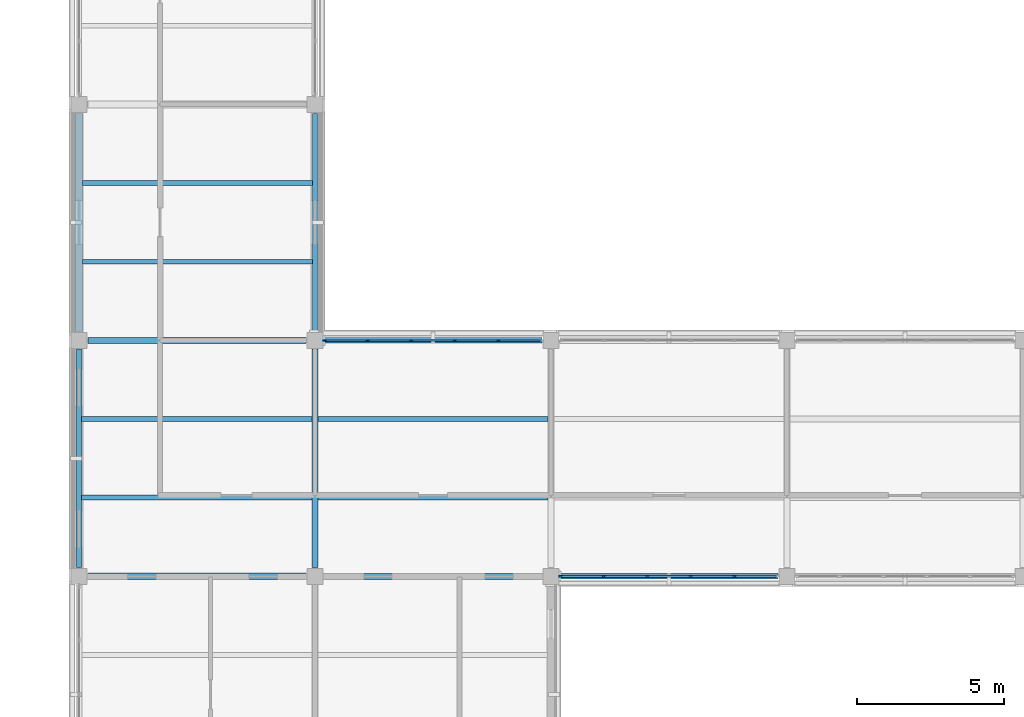
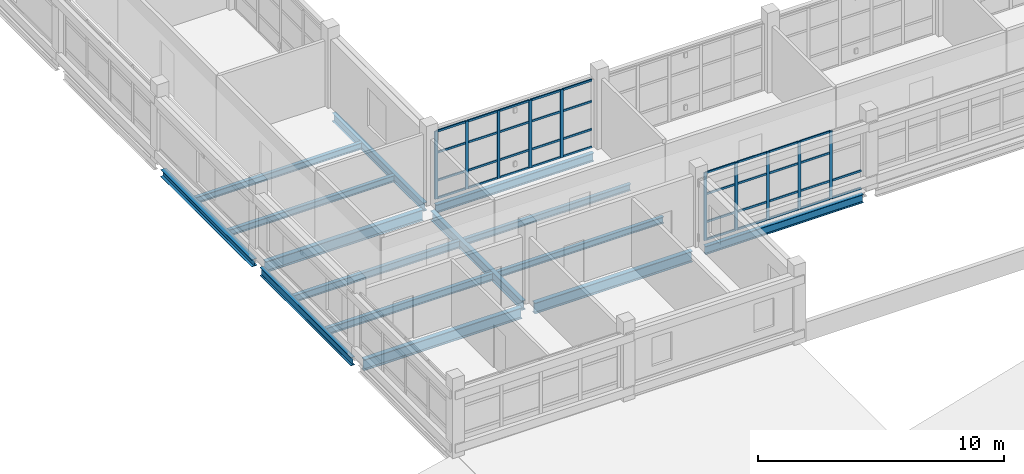
# One storey, part 10 of 107: 48 members, 15 beams, 2 elements without a shape of their own.
"""IFC4 building model written with IfcOpenShell, lengths in metres."""

from ifc_helpers import new_model, si_unit, derived_unit, direction, frame, origin, origin_2d, place, context, subcontext, project, spatial, rectangle, i_section, extrude, material, layer, layer_set, material_profile, profile_set, type_object, element, aggregate, save


model = new_model("IFC4")

# Units and contexts
model_context = context("Model", 3, precision=1e-05, world=origin(), true_north=direction((0.0, 1.0)))
body_context = subcontext(model_context, "Body", "Model", "MODEL_VIEW")
ifc_project = project(units=[si_unit("LENGTHUNIT", "METRE"), si_unit("AREAUNIT", "SQUARE_METRE"), si_unit("VOLUMEUNIT", "CUBIC_METRE"), si_unit("PLANEANGLEUNIT", "RADIAN"), si_unit("MASSUNIT", "GRAM", prefix="KILO"), derived_unit("THERMALTRANSMITTANCEUNIT", [(si_unit("MASSUNIT", "GRAM", prefix="KILO"), 1), (si_unit("TIMEUNIT", "SECOND"), -3), (si_unit("THERMODYNAMICTEMPERATUREUNIT", "KELVIN"), -1)])], contexts=[model_context])

# Site, building, storey
site_placement = place(None, origin())
site = spatial("IfcSite", under=ifc_project, at=site_placement, CompositionType="ELEMENT")
building_placement = place(site_placement, origin())
building = spatial("IfcBuilding", under=site, at=building_placement, Name="Veyamyaing Civic Hall", CompositionType="ELEMENT")
storey_placement = place(building_placement, frame((0.0, 0.0, 13.860107421875)))
storey = spatial("IfcBuildingStorey", under=building, at=storey_placement, Name="L03", CompositionType="ELEMENT", Elevation=13.860107421875)

# Beams
ifc_material_1 = material(Name="Steel ASTM A992", Category="steel")
ifc_material_profile_1 = material_profile(ifc_material_1, i_section(OverallWidth=0.179931640625, OverallDepth=0.4130859375, WebThickness=0.009765625, FlangeThickness=0.01611328125, FilletRadius=0.010009765625, at=origin_2d()), Name="W410X74")
ifc_profile_set_1 = profile_set([ifc_material_profile_1], Name="Steel ASTM A992")
beam_type_1 = type_object("IfcBeamType", Name="B-10", PredefinedType="SPANDREL", material=ifc_profile_set_1)
for number, where, z_axis, x_axis, name in (
    (1, (16.300048828125, 48.0, -0.461669921875), (1.0, 0.0, 0.0), (0.0, 1.0, 0.0), "Girder B-10 L03 Grid G 3-4"),
    (2, (8.300048828125, 56.0, -0.461669921875), (1.0, 0.0, 0.0), (0.0, 1.0, 0.0), "Girder B-10 L03 Grid H 2-3"),
    (3, (8.0, 56.300048828125, -0.461669921875), (0.0, 1.0, 0.0), (-1.0, 0.0, 0.0), "Girder B-10 L03 Grid 2 H-J"),
):
    element("IfcBeam", number, at=place(storey_placement, frame(where, z_axis=z_axis, x_axis=x_axis)), inside=storey, type_object=beam_type_1, Name=name, PredefinedType="SPANDREL", context=body_context, shape_type="SweptSolid", body=[
        extrude(i_section(OverallWidth=0.179931640625, OverallDepth=0.4130859375, WebThickness=0.009765625, FlangeThickness=0.01611328125, FilletRadius=0.010009765625, at=origin_2d()), origin(), (0.0, 0.0, 1.0), 7.39990234375),
    ])
ifc_material_profile_2 = material_profile(ifc_material_1, i_section(OverallWidth=0.214111328125, OverallDepth=0.549072265625, WebThickness=0.0146484375, FlangeThickness=0.023681640625, FilletRadius=0.011962890625, at=origin_2d()), Name="W530X138")
ifc_profile_set_2 = profile_set([ifc_material_profile_2], Name="Steel ASTM A992")
beam_type_2 = type_object("IfcBeamType", Name="B-16", PredefinedType="BEAM", material=ifc_profile_set_2)
beam_1_placement = place(storey_placement, frame((0.300048828125, 48.0, -0.529541015625), z_axis=(1.0, 0.0, 0.0), x_axis=(0.0, 1.0, 0.0)))
element("IfcBeam", 4, at=beam_1_placement, inside=storey, type_object=beam_type_2, Name="Girder B-16 L03 Grid G 1-2", PredefinedType="BEAM", context=body_context, shape_type="SweptSolid", body=[
    extrude(i_section(OverallWidth=0.214111328125, OverallDepth=0.549072265625, WebThickness=0.0146484375, FlangeThickness=0.023681640625, FilletRadius=0.011962890625, at=origin_2d()), origin(), (0.0, 0.0, 1.0), 7.39990234375),
])
ifc_material_profile_3 = material_profile(ifc_material_1, i_section(OverallWidth=0.2109375, OverallDepth=0.5390625, WebThickness=0.01171875, FlangeThickness=0.018798828125, FilletRadius=0.011962890625, at=origin_2d()), Name="W530X109")
ifc_profile_set_3 = profile_set([ifc_material_profile_3], Name="Steel ASTM A992")
beam_type_3 = type_object("IfcBeamType", Name="B-17", PredefinedType="BEAM", material=ifc_profile_set_3)
for number, where, z_axis, x_axis, name in (
    (5, (8.300048828125, 48.0, -0.524658203125), (1.0, 0.0, 0.0), (0.0, 1.0, 0.0), "Girder B-17 L03 Grid G 2-3"),
    (6, (0.300048828125, 56.0, -0.524658203125), (1.0, 0.0, 0.0), (0.0, 1.0, 0.0), "Girder B-17 L03 Grid H 1-2"),
):
    element("IfcBeam", number, at=place(storey_placement, frame(where, z_axis=z_axis, x_axis=x_axis)), inside=storey, type_object=beam_type_3, Name=name, PredefinedType="BEAM", context=body_context, shape_type="SweptSolid", body=[
        extrude(i_section(OverallWidth=0.2109375, OverallDepth=0.5390625, WebThickness=0.01171875, FlangeThickness=0.018798828125, FilletRadius=0.011962890625, at=origin_2d()), origin(), (0.0, 0.0, 1.0), 7.39990234375),
    ])
ifc_material_profile_4 = material_profile(ifc_material_1, i_section(OverallWidth=0.194091796875, OverallDepth=0.468994140625, WebThickness=0.0126953125, FlangeThickness=0.0205078125, FilletRadius=0.010009765625, at=origin_2d()), Name="W460X106")
ifc_profile_set_4 = profile_set([ifc_material_profile_4], Name="Steel ASTM A992")
beam_type_4 = type_object("IfcBeamType", Name="B-18", PredefinedType="BEAM", material=ifc_profile_set_4)
beam_2_placement = place(storey_placement, frame((8.0, 48.300048828125, -0.489501953125), z_axis=(0.0, 1.0, 0.0), x_axis=(-1.0, 0.0, 0.0)))
element("IfcBeam", 7, at=beam_2_placement, inside=storey, type_object=beam_type_4, Name="Girder B-18 L03 Grid 2 G-H", PredefinedType="BEAM", context=body_context, shape_type="SweptSolid", body=[
    extrude(i_section(OverallWidth=0.194091796875, OverallDepth=0.468994140625, WebThickness=0.0126953125, FlangeThickness=0.0205078125, FilletRadius=0.010009765625, at=origin_2d()), origin(), (0.0, 0.0, 1.0), 7.39990234375),
])
ifc_material_profile_5 = material_profile(ifc_material_1, i_section(OverallWidth=0.180908203125, OverallDepth=0.4169921875, WebThickness=0.010986328125, FlangeThickness=0.018310546875, FilletRadius=0.010009765625, at=origin_2d()), Name="W410X85")
ifc_profile_set_5 = profile_set([ifc_material_profile_5], Name="Steel ASTM A992")
beam_type_5 = type_object("IfcBeamType", Name="B-19", PredefinedType="SPANDREL", material=ifc_profile_set_5)
beam_3_placement = place(storey_placement, frame((0.0, 48.300048828125, -0.463623046875), z_axis=(0.0, 1.0, 0.0), x_axis=(-1.0, 0.0, 0.0)))
element("IfcBeam", 8, at=beam_3_placement, inside=storey, type_object=beam_type_5, Name="Girder B-19 L03 Grid 1 G-H", PredefinedType="SPANDREL", context=body_context, shape_type="SweptSolid", body=[
    extrude(i_section(OverallWidth=0.180908203125, OverallDepth=0.4169921875, WebThickness=0.010986328125, FlangeThickness=0.018310546875, FilletRadius=0.010009765625, at=origin_2d()), origin(), (0.0, 0.0, 1.0), 7.39990234375),
])
ifc_material_profile_6 = material_profile(ifc_material_1, i_section(OverallWidth=0.25390625, OverallDepth=0.35302734375, WebThickness=0.009521484375, FlangeThickness=0.016357421875, FilletRadius=0.011962890625, at=origin_2d()), Name="W360X91")
ifc_profile_set_6 = profile_set([ifc_material_profile_6], Name="Steel ASTM A992")
beam_type_6 = type_object("IfcBeamType", Name="B-20", PredefinedType="SPANDREL", material=ifc_profile_set_6)
beam_4_placement = place(storey_placement, frame((0.0, 56.300048828125, -0.431640625), z_axis=(0.0, 1.0, 0.0), x_axis=(-1.0, 0.0, 0.0)))
element("IfcBeam", 9, at=beam_4_placement, inside=storey, type_object=beam_type_6, Name="Girder B-20 L03 Grid 1 H-J", PredefinedType="SPANDREL", context=body_context, shape_type="SweptSolid", body=[
    extrude(i_section(OverallWidth=0.25390625, OverallDepth=0.35302734375, WebThickness=0.009521484375, FlangeThickness=0.016357421875, FilletRadius=0.011962890625, at=origin_2d()), origin(), (0.0, 0.0, 1.0), 7.39990234375),
])

# Curtain wall, members
ifc_material_2 = material(Name="Anodised aluminium 6063-T6", Category="aluminium")
ifc_layer = layer(ifc_material_2, 0.139892578125, Name="Anodised aluminium 6063-T6")
ifc_layer_set = layer_set([ifc_layer], Name="Anodised aluminium 6063-T6")
curtain_wall_type = type_object("IfcCurtainWallType", Name="CW-04", PredefinedType="NOTDEFINED", material=ifc_layer_set)
curtain_wall_1_placement = place(storey_placement, origin())
curtain_wall_1 = element("IfcCurtainWall", 10, at=curtain_wall_1_placement, inside=storey, type_object=curtain_wall_type, Name="Unitized curtain wall CW-04 L03 N 2.7", PredefinedType="NOTDEFINED")
ifc_material_profile_7 = material_profile(ifc_material_2, rectangle(XDim=0.06005859375, YDim=0.139892578125, at=origin_2d()), Name="ALU-MUL-60X140")
ifc_profile_set_7 = profile_set([ifc_material_profile_7], Name="Anodised aluminium 6063-T6")
member_type_1 = type_object("IfcMemberType", Name="CWM-03", PredefinedType="MULLION", material=ifc_profile_set_7)
member_1_placement = place(storey_placement, frame((8.3349609375, 56.0, 0.0), z_axis=(0.0, 0.0, 1.0), x_axis=(0.0, 1.0, 0.0)))
member_1 = element("IfcMember", 11, at=member_1_placement, type_object=member_type_1, Name="CW-04 mullion 1", PredefinedType="MULLION", context=body_context, shape_type="SweptSolid", body=[
    extrude(rectangle(XDim=0.06005859375, YDim=0.139892578125, at=origin_2d()), origin(), (0.0, 0.0, 1.0), 3.366943359375),
])
member_2_placement = place(storey_placement, frame((9.782958984375, 56.0, 0.0), z_axis=(0.0, 0.0, 1.0), x_axis=(0.0, 1.0, 0.0)))
member_2 = element("IfcMember", 12, at=member_2_placement, type_object=member_type_1, Name="CW-04 mullion 2", PredefinedType="MULLION", context=body_context, shape_type="SweptSolid", body=[
    extrude(rectangle(XDim=0.06005859375, YDim=0.139892578125, at=origin_2d()), origin(), (0.0, 0.0, 1.0), 3.366943359375),
])
member_3_placement = place(storey_placement, frame((11.260986328125, 56.0, 0.0), z_axis=(0.0, 0.0, 1.0), x_axis=(0.0, 1.0, 0.0)))
member_3 = element("IfcMember", 13, at=member_3_placement, type_object=member_type_1, Name="CW-04 mullion 3", PredefinedType="MULLION", context=body_context, shape_type="SweptSolid", body=[
    extrude(rectangle(XDim=0.06005859375, YDim=0.139892578125, at=origin_2d()), origin(), (0.0, 0.0, 1.0), 3.366943359375),
])
member_4_placement = place(storey_placement, frame((12.739013671875, 56.0, 0.0), z_axis=(0.0, 0.0, 1.0), x_axis=(0.0, 1.0, 0.0)))
member_4 = element("IfcMember", 14, at=member_4_placement, type_object=member_type_1, Name="CW-04 mullion 4", PredefinedType="MULLION", context=body_context, shape_type="SweptSolid", body=[
    extrude(rectangle(XDim=0.06005859375, YDim=0.139892578125, at=origin_2d()), origin(), (0.0, 0.0, 1.0), 3.366943359375),
])
member_5_placement = place(storey_placement, frame((14.217041015625, 56.0, 0.0), z_axis=(0.0, 0.0, 1.0), x_axis=(0.0, 1.0, 0.0)))
member_5 = element("IfcMember", 15, at=member_5_placement, type_object=member_type_1, Name="CW-04 mullion 5", PredefinedType="MULLION", context=body_context, shape_type="SweptSolid", body=[
    extrude(rectangle(XDim=0.06005859375, YDim=0.139892578125, at=origin_2d()), origin(), (0.0, 0.0, 1.0), 3.366943359375),
])

curtain_wall_2_placement = place(storey_placement, origin())
curtain_wall_2 = element("IfcCurtainWall", 16, at=curtain_wall_2_placement, inside=storey, type_object=curtain_wall_type, Name="Unitized curtain wall CW-04 L03 S 3.7", PredefinedType="NOTDEFINED")
member_6_placement = place(storey_placement, frame((16.3349609375, 48.0, 0.0), z_axis=(0.0, 0.0, 1.0), x_axis=(0.0, 1.0, 0.0)))
member_6 = element("IfcMember", 17, at=member_6_placement, type_object=member_type_1, Name="CW-04 mullion 1", PredefinedType="MULLION", context=body_context, shape_type="SweptSolid", body=[
    extrude(rectangle(XDim=0.06005859375, YDim=0.139892578125, at=origin_2d()), origin(), (0.0, 0.0, 1.0), 3.366943359375),
])
member_7_placement = place(storey_placement, frame((17.782958984375, 48.0, 0.0), z_axis=(0.0, 0.0, 1.0), x_axis=(0.0, 1.0, 0.0)))
member_7 = element("IfcMember", 18, at=member_7_placement, type_object=member_type_1, Name="CW-04 mullion 2", PredefinedType="MULLION", context=body_context, shape_type="SweptSolid", body=[
    extrude(rectangle(XDim=0.06005859375, YDim=0.139892578125, at=origin_2d()), origin(), (0.0, 0.0, 1.0), 3.366943359375),
])
member_8_placement = place(storey_placement, frame((19.260986328125, 48.0, 0.0), z_axis=(0.0, 0.0, 1.0), x_axis=(0.0, 1.0, 0.0)))
member_8 = element("IfcMember", 19, at=member_8_placement, type_object=member_type_1, Name="CW-04 mullion 3", PredefinedType="MULLION", context=body_context, shape_type="SweptSolid", body=[
    extrude(rectangle(XDim=0.06005859375, YDim=0.139892578125, at=origin_2d()), origin(), (0.0, 0.0, 1.0), 3.366943359375),
])
member_9_placement = place(storey_placement, frame((20.739013671875, 48.0, 0.0), z_axis=(0.0, 0.0, 1.0), x_axis=(0.0, 1.0, 0.0)))
member_9 = element("IfcMember", 20, at=member_9_placement, type_object=member_type_1, Name="CW-04 mullion 4", PredefinedType="MULLION", context=body_context, shape_type="SweptSolid", body=[
    extrude(rectangle(XDim=0.06005859375, YDim=0.139892578125, at=origin_2d()), origin(), (0.0, 0.0, 1.0), 3.366943359375),
])
member_10_placement = place(storey_placement, frame((22.217041015625, 48.0, 0.0), z_axis=(0.0, 0.0, 1.0), x_axis=(0.0, 1.0, 0.0)))
member_10 = element("IfcMember", 21, at=member_10_placement, type_object=member_type_1, Name="CW-04 mullion 5", PredefinedType="MULLION", context=body_context, shape_type="SweptSolid", body=[
    extrude(rectangle(XDim=0.06005859375, YDim=0.139892578125, at=origin_2d()), origin(), (0.0, 0.0, 1.0), 3.366943359375),
])

# Member
ifc_material_profile_8 = material_profile(ifc_material_2, rectangle(XDim=0.06005859375, YDim=0.10009765625, at=origin_2d()), Name="ALU-TRN-60X100")
ifc_profile_set_8 = profile_set([ifc_material_profile_8], Name="Anodised aluminium 6063-T6")
member_type_2 = type_object("IfcMemberType", Name="CWT-03", PredefinedType="USERDEFINED", material=ifc_profile_set_8)
member_11_placement = place(storey_placement, frame((8.364990234375, 56.0, 0.02978515625), z_axis=(1.0, 0.0, 0.0), x_axis=(0.0, 1.0, 0.0)))
member_11 = element("IfcMember", 22, at=member_11_placement, type_object=member_type_2, Name="CW-04 transom 1.1", ObjectType="TRANSOM", PredefinedType="USERDEFINED", context=body_context, shape_type="SweptSolid", body=[
    extrude(rectangle(XDim=0.06005859375, YDim=0.10009765625, at=origin_2d()), origin(), (0.0, 0.0, 1.0), 1.387939453125),
])

member_12_placement = place(storey_placement, frame((8.364990234375, 56.0, 0.89990234375), z_axis=(1.0, 0.0, 0.0), x_axis=(0.0, 1.0, 0.0)))
member_12 = element("IfcMember", 23, at=member_12_placement, type_object=member_type_2, Name="CW-04 transom 1.2", ObjectType="TRANSOM", PredefinedType="USERDEFINED", context=body_context, shape_type="SweptSolid", body=[
    extrude(rectangle(XDim=0.06005859375, YDim=0.10009765625, at=origin_2d()), origin(), (0.0, 0.0, 1.0), 1.387939453125),
])

member_13_placement = place(storey_placement, frame((8.364990234375, 56.0, 2.28955078125), z_axis=(1.0, 0.0, 0.0), x_axis=(0.0, 1.0, 0.0)))
member_13 = element("IfcMember", 24, at=member_13_placement, type_object=member_type_2, Name="CW-04 transom 1.3", ObjectType="TRANSOM", PredefinedType="USERDEFINED", context=body_context, shape_type="SweptSolid", body=[
    extrude(rectangle(XDim=0.06005859375, YDim=0.10009765625, at=origin_2d()), origin(), (0.0, 0.0, 1.0), 1.387939453125),
])

member_14_placement = place(storey_placement, frame((8.364990234375, 56.0, 3.3369140625), z_axis=(1.0, 0.0, 0.0), x_axis=(0.0, 1.0, 0.0)))
member_14 = element("IfcMember", 25, at=member_14_placement, type_object=member_type_2, Name="CW-04 transom 1.4", ObjectType="TRANSOM", PredefinedType="USERDEFINED", context=body_context, shape_type="SweptSolid", body=[
    extrude(rectangle(XDim=0.06005859375, YDim=0.10009765625, at=origin_2d()), origin(), (0.0, 0.0, 1.0), 1.387939453125),
])

member_15_placement = place(storey_placement, frame((9.81298828125, 56.0, 0.02978515625), z_axis=(1.0, 0.0, 0.0), x_axis=(0.0, 1.0, 0.0)))
member_15 = element("IfcMember", 26, at=member_15_placement, type_object=member_type_2, Name="CW-04 transom 2.1", ObjectType="TRANSOM", PredefinedType="USERDEFINED", context=body_context, shape_type="SweptSolid", body=[
    extrude(rectangle(XDim=0.06005859375, YDim=0.10009765625, at=origin_2d()), origin(), (0.0, 0.0, 1.0), 1.41796875),
])

member_16_placement = place(storey_placement, frame((9.81298828125, 56.0, 0.89990234375), z_axis=(1.0, 0.0, 0.0), x_axis=(0.0, 1.0, 0.0)))
member_16 = element("IfcMember", 27, at=member_16_placement, type_object=member_type_2, Name="CW-04 transom 2.2", ObjectType="TRANSOM", PredefinedType="USERDEFINED", context=body_context, shape_type="SweptSolid", body=[
    extrude(rectangle(XDim=0.06005859375, YDim=0.10009765625, at=origin_2d()), origin(), (0.0, 0.0, 1.0), 1.41796875),
])

member_17_placement = place(storey_placement, frame((9.81298828125, 56.0, 2.28955078125), z_axis=(1.0, 0.0, 0.0), x_axis=(0.0, 1.0, 0.0)))
member_17 = element("IfcMember", 28, at=member_17_placement, type_object=member_type_2, Name="CW-04 transom 2.3", ObjectType="TRANSOM", PredefinedType="USERDEFINED", context=body_context, shape_type="SweptSolid", body=[
    extrude(rectangle(XDim=0.06005859375, YDim=0.10009765625, at=origin_2d()), origin(), (0.0, 0.0, 1.0), 1.41796875),
])

member_18_placement = place(storey_placement, frame((9.81298828125, 56.0, 3.3369140625), z_axis=(1.0, 0.0, 0.0), x_axis=(0.0, 1.0, 0.0)))
member_18 = element("IfcMember", 29, at=member_18_placement, type_object=member_type_2, Name="CW-04 transom 2.4", ObjectType="TRANSOM", PredefinedType="USERDEFINED", context=body_context, shape_type="SweptSolid", body=[
    extrude(rectangle(XDim=0.06005859375, YDim=0.10009765625, at=origin_2d()), origin(), (0.0, 0.0, 1.0), 1.41796875),
])

member_19_placement = place(storey_placement, frame((11.291015625, 56.0, 0.02978515625), z_axis=(1.0, 0.0, 0.0), x_axis=(0.0, 1.0, 0.0)))
member_19 = element("IfcMember", 30, at=member_19_placement, type_object=member_type_2, Name="CW-04 transom 3.1", ObjectType="TRANSOM", PredefinedType="USERDEFINED", context=body_context, shape_type="SweptSolid", body=[
    extrude(rectangle(XDim=0.06005859375, YDim=0.10009765625, at=origin_2d()), origin(), (0.0, 0.0, 1.0), 1.41796875),
])

member_20_placement = place(storey_placement, frame((11.291015625, 56.0, 0.89990234375), z_axis=(1.0, 0.0, 0.0), x_axis=(0.0, 1.0, 0.0)))
member_20 = element("IfcMember", 31, at=member_20_placement, type_object=member_type_2, Name="CW-04 transom 3.2", ObjectType="TRANSOM", PredefinedType="USERDEFINED", context=body_context, shape_type="SweptSolid", body=[
    extrude(rectangle(XDim=0.06005859375, YDim=0.10009765625, at=origin_2d()), origin(), (0.0, 0.0, 1.0), 1.41796875),
])

member_21_placement = place(storey_placement, frame((11.291015625, 56.0, 2.28955078125), z_axis=(1.0, 0.0, 0.0), x_axis=(0.0, 1.0, 0.0)))
member_21 = element("IfcMember", 32, at=member_21_placement, type_object=member_type_2, Name="CW-04 transom 3.3", ObjectType="TRANSOM", PredefinedType="USERDEFINED", context=body_context, shape_type="SweptSolid", body=[
    extrude(rectangle(XDim=0.06005859375, YDim=0.10009765625, at=origin_2d()), origin(), (0.0, 0.0, 1.0), 1.41796875),
])

member_22_placement = place(storey_placement, frame((11.291015625, 56.0, 3.3369140625), z_axis=(1.0, 0.0, 0.0), x_axis=(0.0, 1.0, 0.0)))
member_22 = element("IfcMember", 33, at=member_22_placement, type_object=member_type_2, Name="CW-04 transom 3.4", ObjectType="TRANSOM", PredefinedType="USERDEFINED", context=body_context, shape_type="SweptSolid", body=[
    extrude(rectangle(XDim=0.06005859375, YDim=0.10009765625, at=origin_2d()), origin(), (0.0, 0.0, 1.0), 1.41796875),
])

member_23_placement = place(storey_placement, frame((12.76904296875, 56.0, 0.02978515625), z_axis=(1.0, 0.0, 0.0), x_axis=(0.0, 1.0, 0.0)))
member_23 = element("IfcMember", 34, at=member_23_placement, type_object=member_type_2, Name="CW-04 transom 4.1", ObjectType="TRANSOM", PredefinedType="USERDEFINED", context=body_context, shape_type="SweptSolid", body=[
    extrude(rectangle(XDim=0.06005859375, YDim=0.10009765625, at=origin_2d()), origin(), (0.0, 0.0, 1.0), 1.41796875),
])

member_24_placement = place(storey_placement, frame((12.76904296875, 56.0, 0.89990234375), z_axis=(1.0, 0.0, 0.0), x_axis=(0.0, 1.0, 0.0)))
member_24 = element("IfcMember", 35, at=member_24_placement, type_object=member_type_2, Name="CW-04 transom 4.2", ObjectType="TRANSOM", PredefinedType="USERDEFINED", context=body_context, shape_type="SweptSolid", body=[
    extrude(rectangle(XDim=0.06005859375, YDim=0.10009765625, at=origin_2d()), origin(), (0.0, 0.0, 1.0), 1.41796875),
])

member_25_placement = place(storey_placement, frame((12.76904296875, 56.0, 2.28955078125), z_axis=(1.0, 0.0, 0.0), x_axis=(0.0, 1.0, 0.0)))
member_25 = element("IfcMember", 36, at=member_25_placement, type_object=member_type_2, Name="CW-04 transom 4.3", ObjectType="TRANSOM", PredefinedType="USERDEFINED", context=body_context, shape_type="SweptSolid", body=[
    extrude(rectangle(XDim=0.06005859375, YDim=0.10009765625, at=origin_2d()), origin(), (0.0, 0.0, 1.0), 1.41796875),
])

member_26_placement = place(storey_placement, frame((12.76904296875, 56.0, 3.3369140625), z_axis=(1.0, 0.0, 0.0), x_axis=(0.0, 1.0, 0.0)))
member_26 = element("IfcMember", 37, at=member_26_placement, type_object=member_type_2, Name="CW-04 transom 4.4", ObjectType="TRANSOM", PredefinedType="USERDEFINED", context=body_context, shape_type="SweptSolid", body=[
    extrude(rectangle(XDim=0.06005859375, YDim=0.10009765625, at=origin_2d()), origin(), (0.0, 0.0, 1.0), 1.41796875),
])

member_27_placement = place(storey_placement, frame((14.2470703125, 56.0, 0.02978515625), z_axis=(1.0, 0.0, 0.0), x_axis=(0.0, 1.0, 0.0)))
member_27 = element("IfcMember", 38, at=member_27_placement, type_object=member_type_2, Name="CW-04 transom 5.1", ObjectType="TRANSOM", PredefinedType="USERDEFINED", context=body_context, shape_type="SweptSolid", body=[
    extrude(rectangle(XDim=0.06005859375, YDim=0.10009765625, at=origin_2d()), origin(), (0.0, 0.0, 1.0), 1.387939453125),
])

member_28_placement = place(storey_placement, frame((14.2470703125, 56.0, 0.89990234375), z_axis=(1.0, 0.0, 0.0), x_axis=(0.0, 1.0, 0.0)))
member_28 = element("IfcMember", 39, at=member_28_placement, type_object=member_type_2, Name="CW-04 transom 5.2", ObjectType="TRANSOM", PredefinedType="USERDEFINED", context=body_context, shape_type="SweptSolid", body=[
    extrude(rectangle(XDim=0.06005859375, YDim=0.10009765625, at=origin_2d()), origin(), (0.0, 0.0, 1.0), 1.387939453125),
])

member_29_placement = place(storey_placement, frame((14.2470703125, 56.0, 2.28955078125), z_axis=(1.0, 0.0, 0.0), x_axis=(0.0, 1.0, 0.0)))
member_29 = element("IfcMember", 40, at=member_29_placement, type_object=member_type_2, Name="CW-04 transom 5.3", ObjectType="TRANSOM", PredefinedType="USERDEFINED", context=body_context, shape_type="SweptSolid", body=[
    extrude(rectangle(XDim=0.06005859375, YDim=0.10009765625, at=origin_2d()), origin(), (0.0, 0.0, 1.0), 1.387939453125),
])

member_30_placement = place(storey_placement, frame((14.2470703125, 56.0, 3.3369140625), z_axis=(1.0, 0.0, 0.0), x_axis=(0.0, 1.0, 0.0)))
member_30 = element("IfcMember", 41, at=member_30_placement, type_object=member_type_2, Name="CW-04 transom 5.4", ObjectType="TRANSOM", PredefinedType="USERDEFINED", context=body_context, shape_type="SweptSolid", body=[
    extrude(rectangle(XDim=0.06005859375, YDim=0.10009765625, at=origin_2d()), origin(), (0.0, 0.0, 1.0), 1.387939453125),
])

aggregate(curtain_wall_1, [member_1, member_2, member_3, member_4, member_5, member_11, member_12, member_13, member_14, member_15, member_16, member_17, member_18, member_19, member_20, member_21, member_22, member_23, member_24, member_25, member_26, member_27, member_28, member_29, member_30])

member_31_placement = place(storey_placement, frame((16.364990234375, 48.0, 0.02978515625), z_axis=(1.0, 0.0, 0.0), x_axis=(0.0, 1.0, 0.0)))
member_31 = element("IfcMember", 42, at=member_31_placement, type_object=member_type_2, Name="CW-04 transom 1.1", ObjectType="TRANSOM", PredefinedType="USERDEFINED", context=body_context, shape_type="SweptSolid", body=[
    extrude(rectangle(XDim=0.06005859375, YDim=0.10009765625, at=origin_2d()), origin(), (0.0, 0.0, 1.0), 1.387939453125),
])

member_32_placement = place(storey_placement, frame((16.364990234375, 48.0, 0.89990234375), z_axis=(1.0, 0.0, 0.0), x_axis=(0.0, 1.0, 0.0)))
member_32 = element("IfcMember", 43, at=member_32_placement, type_object=member_type_2, Name="CW-04 transom 1.2", ObjectType="TRANSOM", PredefinedType="USERDEFINED", context=body_context, shape_type="SweptSolid", body=[
    extrude(rectangle(XDim=0.06005859375, YDim=0.10009765625, at=origin_2d()), origin(), (0.0, 0.0, 1.0), 1.387939453125),
])

member_33_placement = place(storey_placement, frame((16.364990234375, 48.0, 2.28955078125), z_axis=(1.0, 0.0, 0.0), x_axis=(0.0, 1.0, 0.0)))
member_33 = element("IfcMember", 44, at=member_33_placement, type_object=member_type_2, Name="CW-04 transom 1.3", ObjectType="TRANSOM", PredefinedType="USERDEFINED", context=body_context, shape_type="SweptSolid", body=[
    extrude(rectangle(XDim=0.06005859375, YDim=0.10009765625, at=origin_2d()), origin(), (0.0, 0.0, 1.0), 1.387939453125),
])

member_34_placement = place(storey_placement, frame((16.364990234375, 48.0, 3.3369140625), z_axis=(1.0, 0.0, 0.0), x_axis=(0.0, 1.0, 0.0)))
member_34 = element("IfcMember", 45, at=member_34_placement, type_object=member_type_2, Name="CW-04 transom 1.4", ObjectType="TRANSOM", PredefinedType="USERDEFINED", context=body_context, shape_type="SweptSolid", body=[
    extrude(rectangle(XDim=0.06005859375, YDim=0.10009765625, at=origin_2d()), origin(), (0.0, 0.0, 1.0), 1.387939453125),
])

member_35_placement = place(storey_placement, frame((17.81298828125, 48.0, 0.02978515625), z_axis=(1.0, 0.0, 0.0), x_axis=(0.0, 1.0, 0.0)))
member_35 = element("IfcMember", 46, at=member_35_placement, type_object=member_type_2, Name="CW-04 transom 2.1", ObjectType="TRANSOM", PredefinedType="USERDEFINED", context=body_context, shape_type="SweptSolid", body=[
    extrude(rectangle(XDim=0.06005859375, YDim=0.10009765625, at=origin_2d()), origin(), (0.0, 0.0, 1.0), 1.41796875),
])

member_36_placement = place(storey_placement, frame((17.81298828125, 48.0, 0.89990234375), z_axis=(1.0, 0.0, 0.0), x_axis=(0.0, 1.0, 0.0)))
member_36 = element("IfcMember", 47, at=member_36_placement, type_object=member_type_2, Name="CW-04 transom 2.2", ObjectType="TRANSOM", PredefinedType="USERDEFINED", context=body_context, shape_type="SweptSolid", body=[
    extrude(rectangle(XDim=0.06005859375, YDim=0.10009765625, at=origin_2d()), origin(), (0.0, 0.0, 1.0), 1.41796875),
])

member_37_placement = place(storey_placement, frame((17.81298828125, 48.0, 2.28955078125), z_axis=(1.0, 0.0, 0.0), x_axis=(0.0, 1.0, 0.0)))
member_37 = element("IfcMember", 48, at=member_37_placement, type_object=member_type_2, Name="CW-04 transom 2.3", ObjectType="TRANSOM", PredefinedType="USERDEFINED", context=body_context, shape_type="SweptSolid", body=[
    extrude(rectangle(XDim=0.06005859375, YDim=0.10009765625, at=origin_2d()), origin(), (0.0, 0.0, 1.0), 1.41796875),
])

member_38_placement = place(storey_placement, frame((17.81298828125, 48.0, 3.3369140625), z_axis=(1.0, 0.0, 0.0), x_axis=(0.0, 1.0, 0.0)))
member_38 = element("IfcMember", 49, at=member_38_placement, type_object=member_type_2, Name="CW-04 transom 2.4", ObjectType="TRANSOM", PredefinedType="USERDEFINED", context=body_context, shape_type="SweptSolid", body=[
    extrude(rectangle(XDim=0.06005859375, YDim=0.10009765625, at=origin_2d()), origin(), (0.0, 0.0, 1.0), 1.41796875),
])

member_39_placement = place(storey_placement, frame((19.291015625, 48.0, 0.02978515625), z_axis=(1.0, 0.0, 0.0), x_axis=(0.0, 1.0, 0.0)))
member_39 = element("IfcMember", 50, at=member_39_placement, type_object=member_type_2, Name="CW-04 transom 3.1", ObjectType="TRANSOM", PredefinedType="USERDEFINED", context=body_context, shape_type="SweptSolid", body=[
    extrude(rectangle(XDim=0.06005859375, YDim=0.10009765625, at=origin_2d()), origin(), (0.0, 0.0, 1.0), 1.41796875),
])

member_40_placement = place(storey_placement, frame((19.291015625, 48.0, 0.89990234375), z_axis=(1.0, 0.0, 0.0), x_axis=(0.0, 1.0, 0.0)))
member_40 = element("IfcMember", 51, at=member_40_placement, type_object=member_type_2, Name="CW-04 transom 3.2", ObjectType="TRANSOM", PredefinedType="USERDEFINED", context=body_context, shape_type="SweptSolid", body=[
    extrude(rectangle(XDim=0.06005859375, YDim=0.10009765625, at=origin_2d()), origin(), (0.0, 0.0, 1.0), 1.41796875),
])

member_41_placement = place(storey_placement, frame((19.291015625, 48.0, 2.28955078125), z_axis=(1.0, 0.0, 0.0), x_axis=(0.0, 1.0, 0.0)))
member_41 = element("IfcMember", 52, at=member_41_placement, type_object=member_type_2, Name="CW-04 transom 3.3", ObjectType="TRANSOM", PredefinedType="USERDEFINED", context=body_context, shape_type="SweptSolid", body=[
    extrude(rectangle(XDim=0.06005859375, YDim=0.10009765625, at=origin_2d()), origin(), (0.0, 0.0, 1.0), 1.41796875),
])

member_42_placement = place(storey_placement, frame((19.291015625, 48.0, 3.3369140625), z_axis=(1.0, 0.0, 0.0), x_axis=(0.0, 1.0, 0.0)))
member_42 = element("IfcMember", 53, at=member_42_placement, type_object=member_type_2, Name="CW-04 transom 3.4", ObjectType="TRANSOM", PredefinedType="USERDEFINED", context=body_context, shape_type="SweptSolid", body=[
    extrude(rectangle(XDim=0.06005859375, YDim=0.10009765625, at=origin_2d()), origin(), (0.0, 0.0, 1.0), 1.41796875),
])

member_43_placement = place(storey_placement, frame((20.76904296875, 48.0, 0.02978515625), z_axis=(1.0, 0.0, 0.0), x_axis=(0.0, 1.0, 0.0)))
member_43 = element("IfcMember", 54, at=member_43_placement, type_object=member_type_2, Name="CW-04 transom 4.1", ObjectType="TRANSOM", PredefinedType="USERDEFINED", context=body_context, shape_type="SweptSolid", body=[
    extrude(rectangle(XDim=0.06005859375, YDim=0.10009765625, at=origin_2d()), origin(), (0.0, 0.0, 1.0), 1.41796875),
])

member_44_placement = place(storey_placement, frame((20.76904296875, 48.0, 0.89990234375), z_axis=(1.0, 0.0, 0.0), x_axis=(0.0, 1.0, 0.0)))
member_44 = element("IfcMember", 55, at=member_44_placement, type_object=member_type_2, Name="CW-04 transom 4.2", ObjectType="TRANSOM", PredefinedType="USERDEFINED", context=body_context, shape_type="SweptSolid", body=[
    extrude(rectangle(XDim=0.06005859375, YDim=0.10009765625, at=origin_2d()), origin(), (0.0, 0.0, 1.0), 1.41796875),
])

member_45_placement = place(storey_placement, frame((20.76904296875, 48.0, 2.28955078125), z_axis=(1.0, 0.0, 0.0), x_axis=(0.0, 1.0, 0.0)))
member_45 = element("IfcMember", 56, at=member_45_placement, type_object=member_type_2, Name="CW-04 transom 4.3", ObjectType="TRANSOM", PredefinedType="USERDEFINED", context=body_context, shape_type="SweptSolid", body=[
    extrude(rectangle(XDim=0.06005859375, YDim=0.10009765625, at=origin_2d()), origin(), (0.0, 0.0, 1.0), 1.41796875),
])

member_46_placement = place(storey_placement, frame((20.76904296875, 48.0, 3.3369140625), z_axis=(1.0, 0.0, 0.0), x_axis=(0.0, 1.0, 0.0)))
member_46 = element("IfcMember", 57, at=member_46_placement, type_object=member_type_2, Name="CW-04 transom 4.4", ObjectType="TRANSOM", PredefinedType="USERDEFINED", context=body_context, shape_type="SweptSolid", body=[
    extrude(rectangle(XDim=0.06005859375, YDim=0.10009765625, at=origin_2d()), origin(), (0.0, 0.0, 1.0), 1.41796875),
])

member_47_placement = place(storey_placement, frame((22.2470703125, 48.0, 0.02978515625), z_axis=(1.0, 0.0, 0.0), x_axis=(0.0, 1.0, 0.0)))
member_47 = element("IfcMember", 58, at=member_47_placement, type_object=member_type_2, Name="CW-04 transom 5.1", ObjectType="TRANSOM", PredefinedType="USERDEFINED", context=body_context, shape_type="SweptSolid", body=[
    extrude(rectangle(XDim=0.06005859375, YDim=0.10009765625, at=origin_2d()), origin(), (0.0, 0.0, 1.0), 1.387939453125),
])

member_48_placement = place(storey_placement, frame((22.2470703125, 48.0, 0.89990234375), z_axis=(1.0, 0.0, 0.0), x_axis=(0.0, 1.0, 0.0)))
member_48 = element("IfcMember", 59, at=member_48_placement, type_object=member_type_2, Name="CW-04 transom 5.2", ObjectType="TRANSOM", PredefinedType="USERDEFINED", context=body_context, shape_type="SweptSolid", body=[
    extrude(rectangle(XDim=0.06005859375, YDim=0.10009765625, at=origin_2d()), origin(), (0.0, 0.0, 1.0), 1.387939453125),
])

aggregate(curtain_wall_2, [member_6, member_7, member_8, member_9, member_10, member_31, member_32, member_33, member_34, member_35, member_36, member_37, member_38, member_39, member_40, member_41, member_42, member_43, member_44, member_45, member_46, member_47, member_48])

# Beams
ifc_material_profile_9 = material_profile(ifc_material_1, i_section(OverallWidth=0.1708984375, OverallDepth=0.35205078125, WebThickness=0.0068359375, FlangeThickness=0.009765625, FilletRadius=0.010009765625, at=origin_2d()), Name="W360X44")
ifc_profile_set_9 = profile_set([ifc_material_profile_9], Name="Steel ASTM A992")
beam_type_7 = type_object("IfcBeamType", Name="J-03", PredefinedType="JOIST", material=ifc_profile_set_9)
for number, where, z_axis, x_axis, name in (
    (60, (0.08837890625, 50.666748046875, -0.43115234375), (1.0, 0.0, 0.0), (0.0, 1.0, 0.0), "Composite floor joist J-03 L03 1.7.1"),
    (61, (0.08837890625, 53.333251953125, -0.43115234375), (1.0, 0.0, 0.0), (0.0, 1.0, 0.0), "Composite floor joist J-03 L03 1.7.2"),
):
    element("IfcBeam", number, at=place(storey_placement, frame(where, z_axis=z_axis, x_axis=x_axis)), inside=storey, type_object=beam_type_7, Name=name, PredefinedType="JOIST", context=body_context, shape_type="SweptSolid", body=[
        extrude(i_section(OverallWidth=0.1708984375, OverallDepth=0.35205078125, WebThickness=0.0068359375, FlangeThickness=0.009765625, FilletRadius=0.010009765625, at=origin_2d()), origin(), (0.0, 0.0, 1.0), 7.816650390625),
    ])
ifc_material_profile_10 = material_profile(ifc_material_1, i_section(OverallWidth=0.1669921875, OverallDepth=0.318115234375, WebThickness=0.007568359375, FlangeThickness=0.01318359375, FilletRadius=0.010009765625, at=origin_2d()), Name="W310X52")
ifc_profile_set_10 = profile_set([ifc_material_profile_10], Name="Steel ASTM A992")
beam_type_8 = type_object("IfcBeamType", Name="J-04", PredefinedType="JOIST", material=ifc_profile_set_10)
for number, where, z_axis, x_axis, name in (
    (62, (0.125, 58.666748046875, -0.4140625), (1.0, 0.0, 0.0), (0.0, 1.0, 0.0), "Composite floor joist J-04 L03 1.8.1"),
    (63, (0.125, 61.333251953125, -0.4140625), (1.0, 0.0, 0.0), (0.0, 1.0, 0.0), "Composite floor joist J-04 L03 1.8.2"),
):
    element("IfcBeam", number, at=place(storey_placement, frame(where, z_axis=z_axis, x_axis=x_axis)), inside=storey, type_object=beam_type_8, Name=name, PredefinedType="JOIST", context=body_context, shape_type="SweptSolid", body=[
        extrude(i_section(OverallWidth=0.1669921875, OverallDepth=0.318115234375, WebThickness=0.007568359375, FlangeThickness=0.01318359375, FilletRadius=0.010009765625, at=origin_2d()), origin(), (0.0, 0.0, 1.0), 7.787109375),
    ])
for number, where, z_axis, x_axis, name in (
    (64, (8.094970703125, 50.666748046875, -0.4140625), (1.0, 0.0, 0.0), (0.0, 1.0, 0.0), "Composite floor joist J-04 L03 2.7.1"),
    (65, (8.094970703125, 53.333251953125, -0.4140625), (1.0, 0.0, 0.0), (0.0, 1.0, 0.0), "Composite floor joist J-04 L03 2.7.2"),
):
    element("IfcBeam", number, at=place(storey_placement, frame(where, z_axis=z_axis, x_axis=x_axis)), inside=storey, type_object=beam_type_8, Name=name, PredefinedType="JOIST", context=body_context, shape_type="SweptSolid", body=[
        extrude(i_section(OverallWidth=0.1669921875, OverallDepth=0.318115234375, WebThickness=0.007568359375, FlangeThickness=0.01318359375, FilletRadius=0.010009765625, at=origin_2d()), origin(), (0.0, 0.0, 1.0), 7.802490234375),
    ])

save(model, "model.ifc")
